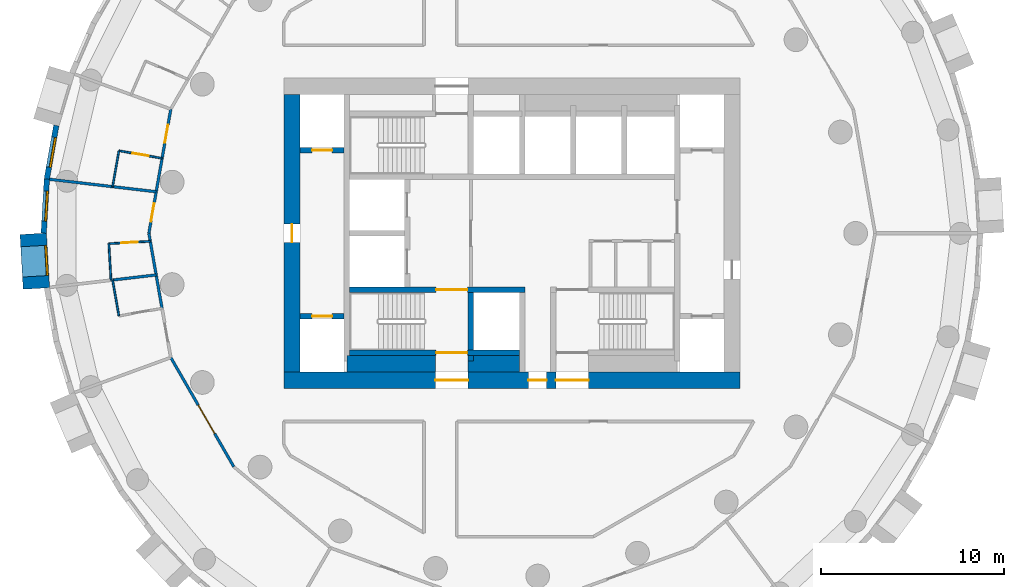
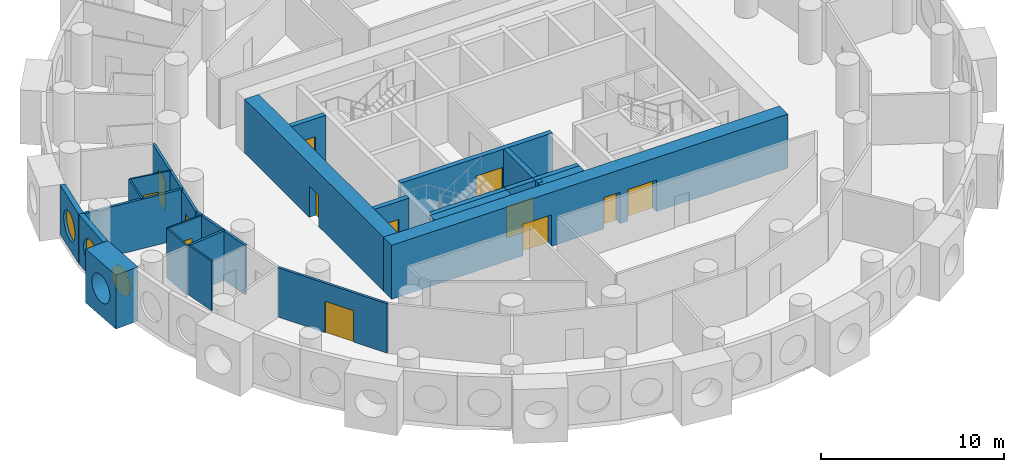
# One storey, part 3 of 10: 24 walls, 13 doors, 3 windows, 16 openings.
"""IFC4 building model written with IfcOpenShell, lengths in metres."""

from ifc_helpers import new_model, si_unit, direction, frame, frame_2d, origin, origin_2d, place, context, subcontext, project, spatial, rectangle, circle, extrude, material, layer, layer_set, type_object, element, fill, save


model = new_model("IFC4")

# Units and contexts
model_context = context("Model", 3, precision=1e-05, world=origin(), true_north=direction((0.0, 1.0)))
body_context = subcontext(model_context, "Body", "Model", "MODEL_VIEW")
ifc_project = project(units=[si_unit("LENGTHUNIT", "METRE"), si_unit("AREAUNIT", "SQUARE_METRE"), si_unit("VOLUMEUNIT", "CUBIC_METRE"), si_unit("PLANEANGLEUNIT", "RADIAN"), si_unit("MASSUNIT", "GRAM", prefix="KILO")], contexts=[model_context])

# Site, building, storey
site_placement = place(None, origin())
site = spatial("IfcSite", under=ifc_project, at=site_placement, CompositionType="ELEMENT")
building_placement = place(site_placement, origin())
building = spatial("IfcBuilding", under=site, at=building_placement, Name="Tracery Tower", CompositionType="ELEMENT")
storey_placement = place(building_placement, frame((0.0, 0.0, 144.0)))
storey = spatial("IfcBuildingStorey", under=building, at=storey_placement, Name="L36", CompositionType="ELEMENT", Elevation=144.0)

# Walls
ifc_material_1 = material(Name="Concrete C50/60", Category="concrete")
ifc_layer_1 = layer(ifc_material_1, 0.89990234375)
ifc_layer_set_1 = layer_set([ifc_layer_1], Name="Core strip wall 900 C50")
wall_type_1 = type_object("IfcWallType", Name="Core strip wall 900 C50", PredefinedType="SOLIDWALL", material=ifc_layer_set_1)
wall_1_placement = place(storey_placement, frame((-9.050048828125, -7.14990234375, 0.0), z_axis=(0.0, 0.0, 1.0), x_axis=(1.0, 0.0, 0.0)))
element("IfcWall", 1, at=wall_1_placement, inside=storey, type_object=wall_type_1, Name="L36 F thick S W", PredefinedType="SOLIDWALL", context=body_context, shape_type="SweptSolid", body=[
    extrude(rectangle(XDim=4.85009765625, YDim=0.89990234375, at=frame_2d((2.425048828125, 0.0))), origin(), (0.0, 0.0, 1.0), 3.300048828125),
])
wall_2_placement = place(storey_placement, frame((-2.39990234375, -7.14990234375, 0.0), z_axis=(0.0, 0.0, 1.0), x_axis=(1.0, 0.0, 0.0)))
element("IfcWall", 2, at=wall_2_placement, inside=storey, type_object=wall_type_1, Name="L36 F thick S mid", PredefinedType="SOLIDWALL", context=body_context, shape_type="SweptSolid", body=[
    extrude(rectangle(XDim=2.7998046875, YDim=0.89990234375, at=frame_2d((1.39990234375, 0.0))), origin(), (0.0, 0.0, 1.0), 3.300048828125),
])

# Wall, openings, doors
ifc_material_2 = material(Name="Concrete C50/60", Category="concrete")
ifc_layer_2 = layer(ifc_material_2, 0.89990234375)
ifc_layer_set_2 = layer_set([ifc_layer_2], Name="Core wall 900 C50")
wall_type_2 = type_object("IfcWallType", Name="Core wall 900 C50", PredefinedType="SOLIDWALL", material=ifc_layer_set_2)
wall_3_placement = place(storey_placement, frame((-12.5, -8.050048828125, 0.0), z_axis=(0.0, 0.0, 1.0), x_axis=(1.0, 0.0, 0.0)))
wall_3 = element("IfcWall", 3, at=wall_3_placement, inside=storey, type_object=wall_type_2, Name="L36 outer S", PredefinedType="SOLIDWALL", context=body_context, shape_type="SweptSolid", body=[
    extrude(rectangle(XDim=25.0, YDim=0.89990234375, at=frame_2d((12.5, 0.0))), origin(), (0.0, 0.0, 1.0), 3.60009765625),
])
opening_1_placement = place(wall_3_placement, frame((13.39990234375, 0.0, 0.0)))
opening_1 = element("IfcOpeningElement", 4, at=opening_1_placement, cuts=wall_3, Name="Opening KD16", PredefinedType="OPENING", context=body_context, shape_type="SweptSolid", body=[
    extrude(rectangle(XDim=1.0, YDim=2.10009765625, at=frame_2d((0.5, 1.050048828125))), frame((0.0, 0.449951171875, 0.0), z_axis=(0.0, -1.0, 0.0), x_axis=(1.0, 0.0, 0.0)), (0.0, 0.0, 1.0), 0.89990234375),
])
opening_2_placement = place(wall_3_placement, frame((8.300048828125, 0.0, 0.0)))
opening_2 = element("IfcOpeningElement", 5, at=opening_2_placement, cuts=wall_3, Name="Opening KD13", PredefinedType="OPENING", context=body_context, shape_type="SweptSolid", body=[
    extrude(rectangle(XDim=1.800048828125, YDim=2.10009765625, at=frame_2d((0.89990234375, 1.050048828125))), frame((0.0, 0.449951171875, 0.0), z_axis=(0.0, -1.0, 0.0), x_axis=(1.0, 0.0, 0.0)), (0.0, 0.0, 1.0), 0.89990234375),
])
opening_3_placement = place(wall_3_placement, frame((14.89990234375, 0.0, 0.0)))
opening_3 = element("IfcOpeningElement", 6, at=opening_3_placement, cuts=wall_3, Name="Opening KD13", PredefinedType="OPENING", context=body_context, shape_type="SweptSolid", body=[
    extrude(rectangle(XDim=1.800048828125, YDim=2.10009765625, at=frame_2d((0.89990234375, 1.050048828125))), frame((0.0, 0.449951171875, 0.0), z_axis=(0.0, -1.0, 0.0), x_axis=(1.0, 0.0, 0.0)), (0.0, 0.0, 1.0), 0.89990234375),
])
ifc_material_3 = material(Name="Steel fire door", Category="steel")
door_type_1 = type_object("IfcDoorType", Name="Core exit door 1000", OperationType="NOTDEFINED", PredefinedType="DOOR", material=ifc_material_3)
door_1_placement = place(opening_1_placement, origin())
door_1 = element("IfcDoor", 7, at=door_1_placement, inside=storey, type_object=door_type_1, Name="Core exit door", OperationType="SINGLE_SWING_LEFT", OverallHeight=2.10009765625, OverallWidth=1.0, PredefinedType="DOOR", context=body_context, shape_type="SweptSolid", body=[
    extrude(rectangle(XDim=1.0, YDim=2.10009765625, at=frame_2d((0.5, 1.050048828125))), frame((0.0, 0.02490234375, 0.0), z_axis=(0.0, -1.0, 0.0), x_axis=(1.0, 0.0, 0.0)), (0.0, 0.0, 1.0), 0.050048828125),
])
fill(opening_1, door_1)
ifc_material_4 = material(Name="Steel fire door", Category="steel")
door_type_2 = type_object("IfcDoorType", Name="Core exit door 1800 double", OperationType="NOTDEFINED", PredefinedType="DOOR", material=ifc_material_4)
door_2_placement = place(opening_2_placement, origin())
door_2 = element("IfcDoor", 8, at=door_2_placement, inside=storey, type_object=door_type_2, Name="Core exit door", OperationType="DOUBLE_DOOR_SINGLE_SWING", OverallHeight=2.10009765625, OverallWidth=1.800048828125, PredefinedType="DOOR", context=body_context, shape_type="SweptSolid", body=[
    extrude(rectangle(XDim=1.800048828125, YDim=2.10009765625, at=frame_2d((0.89990234375, 1.050048828125))), frame((0.0, 0.02490234375, 0.0), z_axis=(0.0, -1.0, 0.0), x_axis=(1.0, 0.0, 0.0)), (0.0, 0.0, 1.0), 0.050048828125),
])
fill(opening_2, door_2)
door_3_placement = place(opening_3_placement, origin())
door_3 = element("IfcDoor", 9, at=door_3_placement, inside=storey, type_object=door_type_2, Name="Core exit door", OperationType="DOUBLE_DOOR_SINGLE_SWING", OverallHeight=2.10009765625, OverallWidth=1.800048828125, PredefinedType="DOOR", context=body_context, shape_type="SweptSolid", body=[
    extrude(rectangle(XDim=1.800048828125, YDim=2.10009765625, at=frame_2d((0.89990234375, 1.050048828125))), frame((0.0, 0.02490234375, 0.0), z_axis=(0.0, -1.0, 0.0), x_axis=(1.0, 0.0, 0.0)), (0.0, 0.0, 1.0), 0.050048828125),
])
fill(opening_3, door_3)

# Wall, opening, door
wall_4_placement = place(storey_placement, frame((-12.050048828125, -7.60009765625, 0.0), z_axis=(0.0, 0.0, 1.0), x_axis=(0.0, 1.0, 0.0)))
wall_4 = element("IfcWall", 10, at=wall_4_placement, inside=storey, type_object=wall_type_2, Name="L36 outer W", PredefinedType="SOLIDWALL", context=body_context, shape_type="SweptSolid", body=[
    extrude(rectangle(XDim=15.2001953125, YDim=0.89990234375, at=frame_2d((7.60009765625, 0.0))), origin(), (0.0, 0.0, 1.0), 3.60009765625),
])
opening_4_placement = place(wall_4_placement, frame((7.10009765625, 0.0, 0.0)))
opening_4 = element("IfcOpeningElement", 11, at=opening_4_placement, cuts=wall_4, Name="Opening KD18", PredefinedType="OPENING", context=body_context, shape_type="SweptSolid", body=[
    extrude(rectangle(XDim=1.0, YDim=2.10009765625, at=frame_2d((0.5, 1.050048828125))), frame((0.0, 0.449951171875, 0.0), z_axis=(0.0, -1.0, 0.0), x_axis=(1.0, 0.0, 0.0)), (0.0, 0.0, 1.0), 0.89990234375),
])
door_4_placement = place(opening_4_placement, origin())
door_4 = element("IfcDoor", 12, at=door_4_placement, inside=storey, type_object=door_type_1, Name="Core exit door", OperationType="DOUBLE_DOOR_SINGLE_SWING", OverallHeight=2.10009765625, OverallWidth=1.0, PredefinedType="DOOR", context=body_context, shape_type="SweptSolid", body=[
    extrude(rectangle(XDim=1.0, YDim=2.10009765625, at=frame_2d((0.5, 1.050048828125))), frame((0.0, 0.02490234375, 0.0), z_axis=(0.0, -1.0, 0.0), x_axis=(1.0, 0.0, 0.0)), (0.0, 0.0, 1.0), 0.050048828125),
])
fill(opening_4, door_4)

# Wall, opening, window
ifc_material_5 = material(Name="Precast concrete C50/60", Category="concrete")
ifc_layer_3 = layer(ifc_material_5, 1.449951171875)
ifc_layer_set_3 = layer_set([ifc_layer_3], Name="Deep-set bay unit 3000 x 3600, slab edge 300")
wall_type_3 = type_object("IfcWallType", Name="Deep-set bay unit 3000 x 3600, slab edge 300", PredefinedType="ELEMENTEDWALL", material=ifc_layer_set_3)
wall_5_placement = place(storey_placement, frame((-26.221923828125, -0.024658203125, -0.300048828125), z_axis=(0.0, 0.0, 1.0), x_axis=(0.058106596105, -0.998310384344, 0.0)))
wall_5 = element("IfcWall", 13, at=wall_5_placement, inside=storey, type_object=wall_type_3, Name="Deep-set bay unit 28 at L36", PredefinedType="ELEMENTEDWALL", context=body_context, shape_type="SweptSolid", body=[
    extrude(rectangle(XDim=3.0, YDim=1.449951171875, at=frame_2d((1.5, 0.0))), origin(), (0.0, 0.0, 1.0), 3.60009765625),
])
opening_5_placement = place(wall_5_placement, frame((1.5, 0.0, 1.85009765625)))
opening_5 = element("IfcOpeningElement", 14, at=opening_5_placement, cuts=wall_5, Name="Opening WN1", PredefinedType="OPENING", context=body_context, shape_type="SweptSolid", body=[
    extrude(circle(Radius=0.9000244140625, at=origin_2d()), frame((0.0, 0.73486328125, 0.0), z_axis=(0.0, -1.0, 0.0), x_axis=(1.0, 0.0, 0.0)), (0.0, 0.0, 1.0), 1.469970703125),
])
ifc_material_6 = material(Name="Aluminium frame with tinted double glazing", Category="aluminium")
window_type = type_object("IfcWindowType", Name="Round window 1800", PartitioningType="SINGLE_PANEL", PredefinedType="WINDOW", material=ifc_material_6)
window_1_placement = place(opening_5_placement, origin())
window_1 = element("IfcWindow", 15, at=window_1_placement, inside=storey, type_object=window_type, Name="Round window 28 at L36", OverallHeight=1.800048828125, OverallWidth=1.800048828125, PartitioningType="SINGLE_PANEL", PredefinedType="WINDOW", context=body_context, shape_type="SweptSolid", body=[
    extrude(circle(Radius=0.9000244140625, at=origin_2d()), frame((0.0, 0.69482421875, 0.0), z_axis=(0.0, -1.0, 0.0), x_axis=(1.0, 0.0, 0.0)), (0.0, 0.0, 1.0), 0.10009765625),
])
fill(opening_5, window_1)

ifc_material_7 = material(Name="Precast concrete C50/60", Category="concrete")
ifc_layer_4 = layer(ifc_material_7, 0.300048828125)
ifc_layer_set_4 = layer_set([ifc_layer_4], Name="Facade panel 3000 x 3300")
wall_type_4 = type_object("IfcWallType", Name="Facade panel 3000 x 3300", PredefinedType="SOLIDWALL", material=ifc_layer_set_4)
wall_6_placement = place(storey_placement, frame((-24.957763671875, 5.9052734375, 0.0), z_axis=(0.0, 0.0, 1.0), x_axis=(-0.173686952598, -0.984800915159, 0.0)))
wall_6 = element("IfcWall", 16, at=wall_6_placement, inside=storey, type_object=wall_type_4, Name="Facade panel 26 at L36", PredefinedType="SOLIDWALL", context=body_context, shape_type="SweptSolid", body=[
    extrude(rectangle(XDim=2.972900390625, YDim=0.300048828125, at=frame_2d((1.486328125, 0.0))), origin(), (0.0, 0.0, 1.0), 3.300048828125),
])
opening_6_placement = place(wall_6_placement, frame((1.486328125, 0.0, 1.5498046875)))
opening_6 = element("IfcOpeningElement", 17, at=opening_6_placement, cuts=wall_6, Name="Opening WN1", PredefinedType="OPENING", context=body_context, shape_type="SweptSolid", body=[
    extrude(circle(Radius=0.9000244140625, at=origin_2d()), frame((0.0, 0.159912109375, 0.0), z_axis=(0.0, -1.0, 0.0), x_axis=(1.0, 0.0, 0.0)), (0.0, 0.0, 1.0), 0.320068359375),
])
window_2_placement = place(opening_6_placement, origin())
window_2 = element("IfcWindow", 18, at=window_2_placement, inside=storey, type_object=window_type, Name="Round window 26 at L36", OverallHeight=1.800048828125, OverallWidth=1.800048828125, PartitioningType="SINGLE_PANEL", PredefinedType="WINDOW", context=body_context, shape_type="SweptSolid", body=[
    extrude(circle(Radius=0.9000244140625, at=origin_2d()), frame((0.0, 0.1201171875, 0.0), z_axis=(0.0, -1.0, 0.0), x_axis=(1.0, 0.0, 0.0)), (0.0, 0.0, 1.0), 0.10009765625),
])
fill(opening_6, window_2)

wall_7_placement = place(storey_placement, frame((-25.47412109375, 2.9775390625, 0.0), z_axis=(0.0, 0.0, 1.0), x_axis=(-0.058139540521, -0.998308466271, 0.0)))
wall_7 = element("IfcWall", 19, at=wall_7_placement, inside=storey, type_object=wall_type_4, Name="Facade panel 27 at L36", PredefinedType="SOLIDWALL", context=body_context, shape_type="SweptSolid", body=[
    extrude(rectangle(XDim=2.97314453125, YDim=0.300048828125, at=frame_2d((1.486572265625, 0.0))), origin(), (0.0, 0.0, 1.0), 3.300048828125),
])
opening_7_placement = place(wall_7_placement, frame((1.486328125, 0.0, 1.5498046875)))
opening_7 = element("IfcOpeningElement", 20, at=opening_7_placement, cuts=wall_7, Name="Opening WN1", PredefinedType="OPENING", context=body_context, shape_type="SweptSolid", body=[
    extrude(circle(Radius=0.9000244140625, at=origin_2d()), frame((0.0, 0.159912109375, 0.0), z_axis=(0.0, -1.0, 0.0), x_axis=(1.0, 0.0, 0.0)), (0.0, 0.0, 1.0), 0.320068359375),
])
window_3_placement = place(opening_7_placement, origin())
window_3 = element("IfcWindow", 21, at=window_3_placement, inside=storey, type_object=window_type, Name="Round window 27 at L36", OverallHeight=1.800048828125, OverallWidth=1.800048828125, PartitioningType="SINGLE_PANEL", PredefinedType="WINDOW", context=body_context, shape_type="SweptSolid", body=[
    extrude(circle(Radius=0.9000244140625, at=origin_2d()), frame((0.0, 0.1201171875, 0.0), z_axis=(0.0, -1.0, 0.0), x_axis=(1.0, 0.0, 0.0)), (0.0, 0.0, 1.0), 0.10009765625),
])
fill(opening_7, window_3)

# Wall, opening, door
ifc_material_8 = material(Name="Plasterboard on steel studs", Category="steel")
ifc_layer_5 = layer(ifc_material_8, 0.10009765625)
ifc_layer_set_5 = layer_set([ifc_layer_5], Name="Partition 100 wet wall")
wall_type_5 = type_object("IfcWallType", Name="Partition 100 wet wall", PredefinedType="PARTITIONING", material=ifc_layer_set_5)
wall_8_placement = place(storey_placement, frame((-21.527099609375, 4.52392578125, 0.0), z_axis=(0.0, 0.0, 1.0), x_axis=(0.9848663854, -0.173315327969, 0.0)))
wall_8 = element("IfcWall", 22, at=wall_8_placement, inside=storey, type_object=wall_type_5, Name="Wet wall RB2-067", PredefinedType="PARTITIONING", context=body_context, shape_type="SweptSolid", body=[
    extrude(rectangle(XDim=2.400390625, YDim=0.10009765625, at=frame_2d((1.2001953125, 0.0))), origin(), (0.0, 0.0, 1.0), 3.300048828125),
])
opening_8_placement = place(wall_8_placement, frame((0.750244140625, 0.0, 0.0)))
opening_8 = element("IfcOpeningElement", 23, at=opening_8_placement, cuts=wall_8, Name="Opening RB2-22", PredefinedType="OPENING", context=body_context, shape_type="SweptSolid", body=[
    extrude(rectangle(XDim=0.89990234375, YDim=2.0400390625, at=frame_2d((0.449951171875, 1.02001953125))), frame((0.0, 0.050048828125, 0.0), z_axis=(0.0, -1.0, 0.0), x_axis=(1.0, 0.0, 0.0)), (0.0, 0.0, 1.0), 0.10009765625),
])
ifc_material_9 = material(Name="Timber door leaf", Category="wood")
door_type_3 = type_object("IfcDoorType", Name="Door en-suite 900", OperationType="NOTDEFINED", PredefinedType="DOOR", material=ifc_material_9)
door_5_placement = place(opening_8_placement, origin())
door_5 = element("IfcDoor", 24, at=door_5_placement, inside=storey, type_object=door_type_3, Name="En-suite door RB2-22", OperationType="SINGLE_SWING_LEFT", OverallHeight=2.0400390625, OverallWidth=0.89990234375, PredefinedType="DOOR", context=body_context, shape_type="SweptSolid", body=[
    extrude(rectangle(XDim=0.89990234375, YDim=2.0400390625, at=frame_2d((0.449951171875, 1.02001953125))), frame((0.0, 0.02490234375, 0.0), z_axis=(0.0, -1.0, 0.0), x_axis=(1.0, 0.0, 0.0)), (0.0, 0.0, 1.0), 0.050048828125),
])
fill(opening_8, door_5)

# Wall
wall_9_placement = place(storey_placement, frame((-21.8740234375, 2.556884765625, 0.0), z_axis=(0.0, 0.0, 1.0), x_axis=(0.17368771375, 0.984800780916, 0.0)))
element("IfcWall", 25, at=wall_9_placement, inside=storey, type_object=wall_type_5, Name="Wet wall RB2-068", PredefinedType="PARTITIONING", context=body_context, shape_type="SweptSolid", body=[
    extrude(rectangle(XDim=1.997314453125, YDim=0.10009765625, at=frame_2d((0.99853515625, 0.0))), origin(), (0.0, 0.0, 1.0), 3.300048828125),
])

# Wall, opening, door
wall_10_placement = place(storey_placement, frame((-22.0791015625, -0.56689453125, 0.0), z_axis=(0.0, 0.0, 1.0), x_axis=(0.998314893836, 0.058029068102, 0.0)))
wall_10 = element("IfcWall", 26, at=wall_10_placement, inside=storey, type_object=wall_type_5, Name="Wet wall RB2-070", PredefinedType="PARTITIONING", context=body_context, shape_type="SweptSolid", body=[
    extrude(rectangle(XDim=2.27197265625, YDim=0.10009765625, at=frame_2d((1.135986328125, 0.0))), origin(), (0.0, 0.0, 1.0), 3.300048828125),
])
opening_9_placement = place(wall_10_placement, frame((0.685791015625, 0.0, 0.0)))
opening_9 = element("IfcOpeningElement", 27, at=opening_9_placement, cuts=wall_10, Name="Opening RB2-24", PredefinedType="OPENING", context=body_context, shape_type="SweptSolid", body=[
    extrude(rectangle(XDim=0.89990234375, YDim=2.0400390625, at=frame_2d((0.449951171875, 1.02001953125))), frame((0.0, 0.050048828125, 0.0), z_axis=(0.0, -1.0, 0.0), x_axis=(1.0, 0.0, 0.0)), (0.0, 0.0, 1.0), 0.10009765625),
])
door_6_placement = place(opening_9_placement, origin())
door_6 = element("IfcDoor", 28, at=door_6_placement, inside=storey, type_object=door_type_3, Name="En-suite door RB2-24", OperationType="SINGLE_SWING_RIGHT", OverallHeight=2.0400390625, OverallWidth=0.89990234375, PredefinedType="DOOR", context=body_context, shape_type="SweptSolid", body=[
    extrude(rectangle(XDim=0.89990234375, YDim=2.0400390625, at=frame_2d((0.449951171875, 1.02001953125))), frame((0.0, 0.02490234375, 0.0), z_axis=(0.0, -1.0, 0.0), x_axis=(1.0, 0.0, 0.0)), (0.0, 0.0, 1.0), 0.050048828125),
])
fill(opening_9, door_6)

# Walls
wall_11_placement = place(storey_placement, frame((-22.0791015625, -0.56689453125, 0.0), z_axis=(0.0, 0.0, 1.0), x_axis=(0.058493425416, -0.998287793766, 0.0)))
element("IfcWall", 29, at=wall_11_placement, inside=storey, type_object=wall_type_5, Name="Wet wall RB2-071", PredefinedType="PARTITIONING", context=body_context, shape_type="SweptSolid", body=[
    extrude(rectangle(XDim=2.00341796875, YDim=0.10009765625, at=frame_2d((1.001708984375, 0.0))), origin(), (0.0, 0.0, 1.0), 3.300048828125),
])
wall_12_placement = place(storey_placement, frame((-21.8740234375, -2.556884765625, 0.0), z_axis=(0.0, 0.0, 1.0), x_axis=(0.17368771375, -0.984800780916, 0.0)))
element("IfcWall", 30, at=wall_12_placement, inside=storey, type_object=wall_type_5, Name="Wet wall RB2-074", PredefinedType="PARTITIONING", context=body_context, shape_type="SweptSolid", body=[
    extrude(rectangle(XDim=1.997314453125, YDim=0.10009765625, at=frame_2d((0.99853515625, 0.0))), origin(), (0.0, 0.0, 1.0), 3.300048828125),
])
ifc_material_10 = material(Name="Plasterboard on steel studs", Category="steel")
ifc_layer_6 = layer(ifc_material_10, 0.14990234375)
ifc_layer_set_6 = layer_set([ifc_layer_6], Name="Partition 150 acoustic unit wall")
wall_type_6 = type_object("IfcWallType", Name="Partition 150 acoustic unit wall", PredefinedType="PARTITIONING", material=ifc_layer_set_6)
wall_13_placement = place(storey_placement, frame((-25.324951171875, 2.9599609375, 0.0), z_axis=(0.0, 0.0, 1.0), x_axis=(0.993249747924, -0.115995423397, 0.0)))
element("IfcWall", 31, at=wall_13_placement, inside=storey, type_object=wall_type_6, Name="Unit wall RB2-069", PredefinedType="PARTITIONING", context=body_context, shape_type="SweptSolid", body=[
    extrude(rectangle(XDim=5.878662109375, YDim=0.14990234375, at=frame_2d((2.939453125, 0.0))), origin(), (0.0, 0.0, 1.0), 3.300048828125),
])
wall_14_placement = place(storey_placement, frame((-21.8779296875, -2.556884765625, 0.0), z_axis=(0.0, 0.0, 1.0), x_axis=(0.99327460921, 0.115782341913, 0.0)))
element("IfcWall", 32, at=wall_14_placement, inside=storey, type_object=wall_type_6, Name="Unit wall RB2-073", PredefinedType="PARTITIONING", context=body_context, shape_type="SweptSolid", body=[
    extrude(rectangle(XDim=2.407958984375, YDim=0.14990234375, at=frame_2d((1.2041015625, 0.0))), origin(), (0.0, 0.0, 1.0), 3.300048828125),
])

# Wall, openings, doors
ifc_material_11 = material(Name="Plasterboard on steel studs", Category="steel")
ifc_layer_7 = layer(ifc_material_11, 0.14990234375)
ifc_layer_set_7 = layer_set([ifc_layer_7], Name="Partition 150 corridor wall")
wall_type_7 = type_object("IfcWallType", Name="Partition 150 corridor wall", PredefinedType="PARTITIONING", material=ifc_layer_set_7)
wall_15_placement = place(storey_placement, frame((-19.88818359375, 0.0, 0.0), z_axis=(0.0, 0.0, 1.0), x_axis=(0.173763153374, 0.984787472772, 0.0)))
wall_15 = element("IfcWall", 33, at=wall_15_placement, inside=storey, type_object=wall_type_7, Name="Corridor wall RB2-027", PredefinedType="PARTITIONING", context=body_context, shape_type="SweptSolid", body=[
    extrude(rectangle(XDim=6.906982421875, YDim=0.14990234375, at=frame_2d((3.45361328125, 0.0))), origin(), (0.0, 0.0, 1.0), 3.300048828125),
])
opening_10_placement = place(wall_15_placement, frame((5.037353515625, 0.0, 0.0)))
opening_10 = element("IfcOpeningElement", 34, at=opening_10_placement, cuts=wall_15, Name="Opening RB2-23", PredefinedType="OPENING", context=body_context, shape_type="SweptSolid", body=[
    extrude(rectangle(XDim=1.0, YDim=2.10009765625, at=frame_2d((0.5, 1.050048828125))), frame((0.0, 0.074951171875, 0.0), z_axis=(0.0, -1.0, 0.0), x_axis=(1.0, 0.0, 0.0)), (0.0, 0.0, 1.0), 0.14990234375),
])
opening_11_placement = place(wall_15_placement, frame((0.658935546875, 0.0, 0.0)))
opening_11 = element("IfcOpeningElement", 35, at=opening_11_placement, cuts=wall_15, Name="Opening RB2-25", PredefinedType="OPENING", context=body_context, shape_type="SweptSolid", body=[
    extrude(rectangle(XDim=1.0, YDim=2.10009765625, at=frame_2d((0.5, 1.050048828125))), frame((0.0, 0.074951171875, 0.0), z_axis=(0.0, -1.0, 0.0), x_axis=(1.0, 0.0, 0.0)), (0.0, 0.0, 1.0), 0.14990234375),
])
ifc_material_12 = material(Name="Timber door leaf", Category="wood")
door_type_4 = type_object("IfcDoorType", Name="Door unit entrance 1000", OperationType="NOTDEFINED", PredefinedType="DOOR", material=ifc_material_12)
door_7_placement = place(opening_10_placement, origin())
door_7 = element("IfcDoor", 36, at=door_7_placement, inside=storey, type_object=door_type_4, Name="Unit entrance door RB2-23", OperationType="SINGLE_SWING_RIGHT", OverallHeight=2.10009765625, OverallWidth=1.0, PredefinedType="DOOR", context=body_context, shape_type="SweptSolid", body=[
    extrude(rectangle(XDim=1.0, YDim=2.10009765625, at=frame_2d((0.5, 1.050048828125))), frame((0.0, 0.02490234375, 0.0), z_axis=(0.0, -1.0, 0.0), x_axis=(1.0, 0.0, 0.0)), (0.0, 0.0, 1.0), 0.050048828125),
])
fill(opening_10, door_7)
door_8_placement = place(opening_11_placement, origin())
door_8 = element("IfcDoor", 37, at=door_8_placement, inside=storey, type_object=door_type_4, Name="Unit entrance door RB2-25", OperationType="SINGLE_SWING_RIGHT", OverallHeight=2.10009765625, OverallWidth=1.0, PredefinedType="DOOR", context=body_context, shape_type="SweptSolid", body=[
    extrude(rectangle(XDim=1.0, YDim=2.10009765625, at=frame_2d((0.5, 1.050048828125))), frame((0.0, 0.02490234375, 0.0), z_axis=(0.0, -1.0, 0.0), x_axis=(1.0, 0.0, 0.0)), (0.0, 0.0, 1.0), 0.050048828125),
])
fill(opening_11, door_8)

# Wall
wall_16_placement = place(storey_placement, frame((-19.887939453125, 0.0, 0.0), z_axis=(0.0, 0.0, 1.0), x_axis=(0.1727845501, -0.984959643461, 0.0)))
element("IfcWall", 38, at=wall_16_placement, inside=storey, type_object=wall_type_7, Name="Corridor wall RB2-028", PredefinedType="PARTITIONING", context=body_context, shape_type="SweptSolid", body=[
    extrude(rectangle(XDim=4.17529296875, YDim=0.14990234375, at=frame_2d((2.087646484375, 0.0))), origin(), (0.0, 0.0, 1.0), 3.300048828125),
])

# Wall, opening, door
wall_17_placement = place(storey_placement, frame((-18.68798828125, -6.802001953125, 0.0), z_axis=(0.0, 0.0, 1.0), x_axis=(0.499914202267, -0.866074933462, 0.0)))
wall_17 = element("IfcWall", 39, at=wall_17_placement, inside=storey, type_object=wall_type_7, Name="Corridor wall RB2-031", PredefinedType="PARTITIONING", context=body_context, shape_type="SweptSolid", body=[
    extrude(rectangle(XDim=6.906982421875, YDim=0.14990234375, at=frame_2d((3.45361328125, 0.0))), origin(), (0.0, 0.0, 1.0), 3.300048828125),
])
opening_12_placement = place(wall_17_placement, frame((3.003173828125, 0.0, 0.0)))
opening_12 = element("IfcOpeningElement", 40, at=opening_12_placement, cuts=wall_17, Name="Opening RB2-28", PredefinedType="OPENING", context=body_context, shape_type="SweptSolid", body=[
    extrude(rectangle(XDim=1.800048828125, YDim=2.10009765625, at=frame_2d((0.89990234375, 1.050048828125))), frame((0.0, 0.074951171875, 0.0), z_axis=(0.0, -1.0, 0.0), x_axis=(1.0, 0.0, 0.0)), (0.0, 0.0, 1.0), 0.14990234375),
])
ifc_material_13 = material(Name="Timber door leaf", Category="wood")
door_type_5 = type_object("IfcDoorType", Name="Door double lounge 1800", OperationType="NOTDEFINED", PredefinedType="DOOR", material=ifc_material_13)
door_9_placement = place(opening_12_placement, origin())
door_9 = element("IfcDoor", 41, at=door_9_placement, inside=storey, type_object=door_type_5, Name="Double lounge door RB2-28", OperationType="DOUBLE_DOOR_SINGLE_SWING", OverallHeight=2.10009765625, OverallWidth=1.800048828125, PredefinedType="DOOR", context=body_context, shape_type="SweptSolid", body=[
    extrude(rectangle(XDim=1.800048828125, YDim=2.10009765625, at=frame_2d((0.89990234375, 1.050048828125))), frame((0.0, 0.02490234375, 0.0), z_axis=(0.0, -1.0, 0.0), x_axis=(1.0, 0.0, 0.0)), (0.0, 0.0, 1.0), 0.050048828125),
])
fill(opening_12, door_9)

ifc_material_14 = material(Name="Concrete C50/60", Category="concrete")
ifc_layer_8 = layer(ifc_material_14, 0.300048828125)
ifc_layer_set_8 = layer_set([ifc_layer_8], Name="Shaft wall 300 C50")
wall_type_8 = type_object("IfcWallType", Name="Shaft wall 300 C50", PredefinedType="SOLIDWALL", material=ifc_layer_set_8)
wall_18_placement = place(storey_placement, frame((-11.60009765625, -4.550048828125, 0.0), z_axis=(0.0, 0.0, 1.0), x_axis=(1.0, 0.0, 0.0)))
wall_18 = element("IfcWall", 42, at=wall_18_placement, inside=storey, type_object=wall_type_8, Name="L36 MR W -4.55", PredefinedType="SOLIDWALL", context=body_context, shape_type="SweptSolid", body=[
    extrude(rectangle(XDim=2.400146484375, YDim=0.300048828125, at=frame_2d((1.2001953125, 0.0))), origin(), (0.0, 0.0, 1.0), 3.300048828125),
])
opening_13_placement = place(wall_18_placement, frame((0.64990234375, 0.0, 0.0)))
opening_13 = element("IfcOpeningElement", 43, at=opening_13_placement, cuts=wall_18, Name="Opening KD50", PredefinedType="OPENING", context=body_context, shape_type="SweptSolid", body=[
    extrude(rectangle(XDim=1.10009765625, YDim=2.10009765625, at=frame_2d((0.550048828125, 1.050048828125))), frame((0.0, 0.14990234375, 0.0), z_axis=(0.0, -1.0, 0.0), x_axis=(1.0, 0.0, 0.0)), (0.0, 0.0, 1.0), 0.300048828125),
])
ifc_material_15 = material(Name="Steel fire door", Category="steel")
door_type_6 = type_object("IfcDoorType", Name="Landing door 1100", OperationType="NOTDEFINED", PredefinedType="DOOR", material=ifc_material_15)
door_10_placement = place(opening_13_placement, origin())
door_10 = element("IfcDoor", 44, at=door_10_placement, inside=storey, type_object=door_type_6, Name="Landing door MR1", OperationType="SLIDING_TO_RIGHT", OverallHeight=2.10009765625, OverallWidth=1.10009765625, PredefinedType="DOOR", context=body_context, shape_type="SweptSolid", body=[
    extrude(rectangle(XDim=1.10009765625, YDim=2.10009765625, at=frame_2d((0.550048828125, 1.050048828125))), frame((0.0, 0.02490234375, 0.0), z_axis=(0.0, -1.0, 0.0), x_axis=(1.0, 0.0, 0.0)), (0.0, 0.0, 1.0), 0.050048828125),
])
fill(opening_13, door_10)

wall_19_placement = place(storey_placement, frame((-11.60009765625, 4.550048828125, 0.0), z_axis=(0.0, 0.0, 1.0), x_axis=(1.0, 0.0, 0.0)))
wall_19 = element("IfcWall", 45, at=wall_19_placement, inside=storey, type_object=wall_type_8, Name="L36 MR W +4.55", PredefinedType="SOLIDWALL", context=body_context, shape_type="SweptSolid", body=[
    extrude(rectangle(XDim=2.400146484375, YDim=0.300048828125, at=frame_2d((1.2001953125, 0.0))), origin(), (0.0, 0.0, 1.0), 3.300048828125),
])
opening_14_placement = place(wall_19_placement, frame((0.64990234375, 0.0, 0.0)))
opening_14 = element("IfcOpeningElement", 46, at=opening_14_placement, cuts=wall_19, Name="Opening KD49", PredefinedType="OPENING", context=body_context, shape_type="SweptSolid", body=[
    extrude(rectangle(XDim=1.10009765625, YDim=2.10009765625, at=frame_2d((0.550048828125, 1.050048828125))), frame((0.0, 0.14990234375, 0.0), z_axis=(0.0, -1.0, 0.0), x_axis=(1.0, 0.0, 0.0)), (0.0, 0.0, 1.0), 0.300048828125),
])
door_11_placement = place(opening_14_placement, origin())
door_11 = element("IfcDoor", 47, at=door_11_placement, inside=storey, type_object=door_type_6, Name="Landing door MR2", OperationType="SLIDING_TO_LEFT", OverallHeight=2.10009765625, OverallWidth=1.10009765625, PredefinedType="DOOR", context=body_context, shape_type="SweptSolid", body=[
    extrude(rectangle(XDim=1.10009765625, YDim=2.10009765625, at=frame_2d((0.550048828125, 1.050048828125))), frame((0.0, 0.02490234375, 0.0), z_axis=(0.0, -1.0, 0.0), x_axis=(1.0, 0.0, 0.0)), (0.0, 0.0, 1.0), 0.050048828125),
])
fill(opening_14, door_11)

ifc_material_16 = material(Name="Concrete C50/60", Category="concrete")
ifc_layer_9 = layer(ifc_material_16, 0.300048828125)
ifc_layer_set_9 = layer_set([ifc_layer_9], Name="Stair wall 300 C50")
wall_type_9 = type_object("IfcWallType", Name="Stair wall 300 C50", PredefinedType="SOLIDWALL", material=ifc_layer_set_9)
wall_20_placement = place(storey_placement, frame((-8.89990234375, -3.10009765625, 0.0), z_axis=(0.0, 0.0, 1.0), x_axis=(1.0, 0.0, 0.0)))
wall_20 = element("IfcWall", 48, at=wall_20_placement, inside=storey, type_object=wall_type_9, Name="L36 row S", PredefinedType="SOLIDWALL", context=body_context, shape_type="SweptSolid", body=[
    extrude(rectangle(XDim=9.599853515625, YDim=0.300048828125, at=frame_2d((4.7998046875, 0.0))), origin(), (0.0, 0.0, 1.0), 3.300048828125),
])
opening_15_placement = place(wall_20_placement, frame((4.75, 0.0, 0.0)))
opening_15 = element("IfcOpeningElement", 49, at=opening_15_placement, cuts=wall_20, Name="Opening KD3", PredefinedType="OPENING", context=body_context, shape_type="SweptSolid", body=[
    extrude(rectangle(XDim=1.699951171875, YDim=2.10009765625, at=frame_2d((0.85009765625, 1.050048828125))), frame((0.0, 0.14990234375, 0.0), z_axis=(0.0, -1.0, 0.0), x_axis=(1.0, 0.0, 0.0)), (0.0, 0.0, 1.0), 0.300048828125),
])
ifc_material_17 = material(Name="Steel fire door", Category="steel")
door_type_7 = type_object("IfcDoorType", Name="Core stair door 1700 double", OperationType="NOTDEFINED", PredefinedType="DOOR", material=ifc_material_17)
door_12_placement = place(opening_15_placement, origin())
door_12 = element("IfcDoor", 50, at=door_12_placement, inside=storey, type_object=door_type_7, Name="Stair door ST1", OperationType="DOUBLE_DOOR_SINGLE_SWING", OverallHeight=2.10009765625, OverallWidth=1.699951171875, PredefinedType="DOOR", context=body_context, shape_type="SweptSolid", body=[
    extrude(rectangle(XDim=1.699951171875, YDim=2.10009765625, at=frame_2d((0.85009765625, 1.050048828125))), frame((0.0, 0.02490234375, 0.0), z_axis=(0.0, -1.0, 0.0), x_axis=(1.0, 0.0, 0.0)), (0.0, 0.0, 1.0), 0.050048828125),
])
fill(opening_15, door_12)

# Walls
wall_21_placement = place(storey_placement, frame((-2.25, -7.0, 0.0), z_axis=(0.0, 0.0, 1.0), x_axis=(0.0, 1.0, 0.0)))
element("IfcWall", 51, at=wall_21_placement, inside=storey, type_object=wall_type_9, Name="L36 ST1 E", PredefinedType="SOLIDWALL", context=body_context, shape_type="SweptSolid", body=[
    extrude(rectangle(XDim=3.75, YDim=0.300048828125, at=frame_2d((1.875, 0.0))), origin(), (0.0, 0.0, 1.0), 3.300048828125),
])
wall_22_placement = place(storey_placement, frame((-8.89990234375, -6.550048828125, 0.0), z_axis=(0.0, 0.0, 1.0), x_axis=(1.0, 0.0, 0.0)))
element("IfcWall", 52, at=wall_22_placement, inside=storey, type_object=wall_type_9, Name="L36 F stair strip S W", PredefinedType="SOLIDWALL", context=body_context, shape_type="SweptSolid", body=[
    extrude(rectangle(XDim=4.699951171875, YDim=0.300048828125, at=frame_2d((2.35009765625, 0.0))), origin(), (0.0, 0.0, 1.0), 3.300048828125),
])
wall_23_placement = place(storey_placement, frame((-2.39990234375, -6.550048828125, 0.0), z_axis=(0.0, 0.0, 1.0), x_axis=(1.0, 0.0, 0.0)))
element("IfcWall", 53, at=wall_23_placement, inside=storey, type_object=wall_type_9, Name="L36 F stair strip S mid", PredefinedType="SOLIDWALL", context=body_context, shape_type="SweptSolid", body=[
    extrude(rectangle(XDim=2.7998046875, YDim=0.300048828125, at=frame_2d((1.39990234375, 0.0))), origin(), (0.0, 0.0, 1.0), 3.300048828125),
])

# Wall, opening, door
wall_24_placement = place(storey_placement, frame((-4.199951171875, -6.550048828125, 0.0), z_axis=(0.0, 0.0, 1.0), x_axis=(1.0, 0.0, 0.0)))
wall_24 = element("IfcWall", 54, at=wall_24_placement, inside=storey, type_object=wall_type_9, Name="L36 F stair S W", PredefinedType="SOLIDWALL", context=body_context, shape_type="SweptSolid", body=[
    extrude(rectangle(XDim=1.800048828125, YDim=0.300048828125, at=frame_2d((0.89990234375, 0.0))), origin(), (0.0, 0.0, 1.0), 3.300048828125),
])
opening_16_placement = place(wall_24_placement, frame((0.050048828125, 0.0, 0.0)))
opening_16 = element("IfcOpeningElement", 55, at=opening_16_placement, cuts=wall_24, Name="Opening KD3", PredefinedType="OPENING", context=body_context, shape_type="SweptSolid", body=[
    extrude(rectangle(XDim=1.699951171875, YDim=2.10009765625, at=frame_2d((0.85009765625, 1.050048828125))), frame((0.0, 0.14990234375, 0.0), z_axis=(0.0, -1.0, 0.0), x_axis=(1.0, 0.0, 0.0)), (0.0, 0.0, 1.0), 0.300048828125),
])
door_13_placement = place(opening_16_placement, origin())
door_13 = element("IfcDoor", 56, at=door_13_placement, inside=storey, type_object=door_type_7, Name="Stair door vest", OperationType="DOUBLE_DOOR_SINGLE_SWING", OverallHeight=2.10009765625, OverallWidth=1.699951171875, PredefinedType="DOOR", context=body_context, shape_type="SweptSolid", body=[
    extrude(rectangle(XDim=1.699951171875, YDim=2.10009765625, at=frame_2d((0.85009765625, 1.050048828125))), frame((0.0, 0.02490234375, 0.0), z_axis=(0.0, -1.0, 0.0), x_axis=(1.0, 0.0, 0.0)), (0.0, 0.0, 1.0), 0.050048828125),
])
fill(opening_16, door_13)

save(model, "model.ifc")
